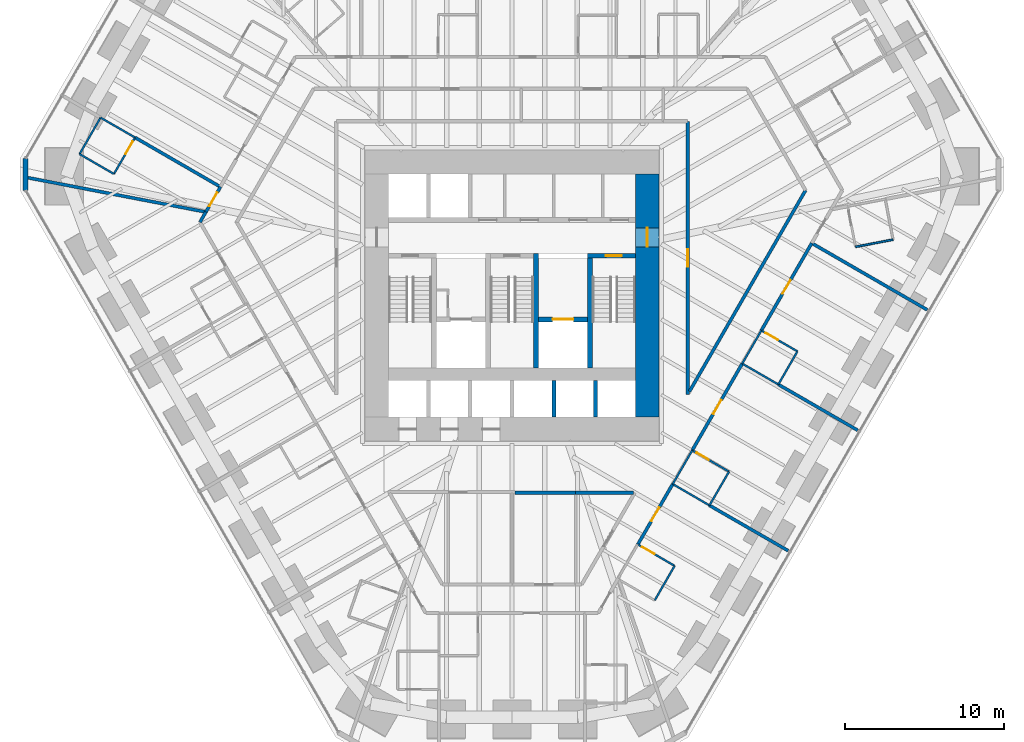
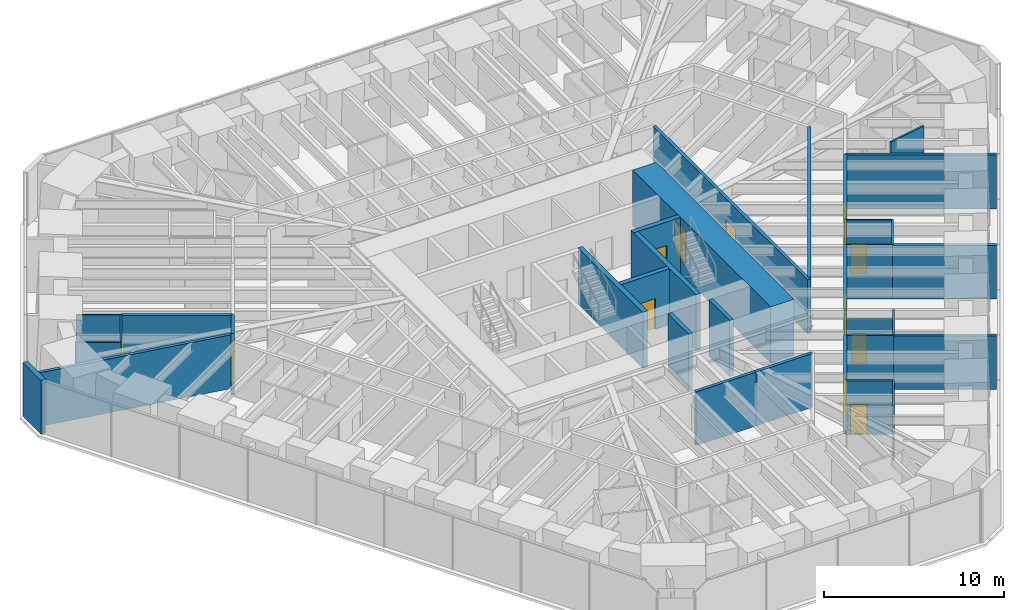
# One storey, part 13 of 17: 37 walls, 12 doors, 12 openings.
"""IFC4 building model written with IfcOpenShell, lengths in metres."""

import ifcopenshell
import ifcopenshell.guid

model = None  # the IFC model being written
_history = None  # IfcOwnerHistory: only IFC2X3 demands one
_inside = {}  # id of a spatial element -> (the spatial element, [elements in it])
_under = {}  # id of a project, library or spatial element -> (it, [spatial elements below it])
_declared = {}  # id of a project -> (the project, [libraries it declares])
_typed = {}  # id of a type object -> (the type object, [elements of that type])
_made_of = {}  # id of a material, layer set ... -> (it, [elements and type objects made of it])


def new_model(schema):
    """Start an empty IFC model of exactly this schema.

    Asked for "IFC4X3", IfcOpenShell would pick the latest addendum, in which some entities
    have other attributes; the version numbers below select the first issue.
    IFC2X3 requires an IfcOwnerHistory on every rooted entity: one is made here for all.
    """
    global model, _history
    if schema == "IFC4X3":
        model = ifcopenshell.file(schema_version=(4, 3, 0, 0))
    else:
        model = ifcopenshell.file(schema=schema)
    _inside.clear()
    _under.clear()
    _declared.clear()
    _typed.clear()
    _made_of.clear()
    _history = None
    if model.schema == "IFC2X3":
        org = make("IfcOrganization", Name="unknown")
        user = make(
            "IfcPersonAndOrganization",
            ThePerson=make("IfcPerson", FamilyName="unknown"),
            TheOrganization=org,
        )
        app = make(
            "IfcApplication",
            ApplicationDeveloper=org,
            Version="unknown",
            ApplicationFullName="unknown",
            ApplicationIdentifier="unknown",
        )
        _history = make(
            "IfcOwnerHistory",
            OwningUser=user,
            OwningApplication=app,
            ChangeAction="ADDED",
            CreationDate=0,
        )
    return model


def make(cls, **values):
    """One entity of the class cls with the attributes given. An attribute that is None is left unset."""
    return model.create_entity(
        cls, **{name: value for name, value in values.items() if value is not None}
    )


def rooted(cls, **values):
    """An entity with a GlobalId (a new one), such as an element, a storey or a relation."""
    return make(cls, GlobalId=ifcopenshell.guid.new(), OwnerHistory=_history, **values)


def si_unit(unit_type, name, prefix=None):
    """IfcSIUnit, for example si_unit("LENGTHUNIT", "METRE", prefix="MILLI")."""
    return make("IfcSIUnit", UnitType=unit_type, Prefix=prefix, Name=name)


def assignment(units):
    """IfcUnitAssignment: the units of a project."""
    return None if units is None else make("IfcUnitAssignment", Units=units)


def point(xyz):
    """IfcCartesianPoint."""
    return None if xyz is None else make("IfcCartesianPoint", Coordinates=xyz)


def direction(xyz):
    """IfcDirection."""
    return None if xyz is None else make("IfcDirection", DirectionRatios=xyz)


def frame(location, z_axis=None, x_axis=None):
    """IfcAxis2Placement3D, a coordinate frame: its origin and axes. An axis left out is left unset."""
    return make(
        "IfcAxis2Placement3D",
        Location=point(location),
        Axis=direction(z_axis),
        RefDirection=direction(x_axis),
    )


def frame_2d(location, x_axis=None):
    """IfcAxis2Placement2D, a coordinate frame in the plane: its origin and x axis."""
    return make(
        "IfcAxis2Placement2D", Location=point(location), RefDirection=direction(x_axis)
    )


def origin():
    """The frame at (0, 0, 0) with its axes left unset."""
    return frame((0.0, 0.0, 0.0))


def place(relative_to, where):
    """IfcLocalPlacement: puts the frame where relative to a parent placement (None: the world)."""
    return make(
        "IfcLocalPlacement", PlacementRelTo=relative_to, RelativePlacement=where
    )


def context(
    kind, dimensions, precision=None, world=None, true_north=None, identifier=None
):
    """IfcGeometricRepresentationContext, for example the 3D "Model" context."""
    return make(
        "IfcGeometricRepresentationContext",
        ContextIdentifier=identifier,
        ContextType=kind,
        CoordinateSpaceDimension=dimensions,
        Precision=precision,
        WorldCoordinateSystem=world,
        TrueNorth=true_north,
    )


def subcontext(parent, identifier, kind, view, scale=None):
    """IfcGeometricRepresentationSubContext, for example "Body" below "Model"."""
    return make(
        "IfcGeometricRepresentationSubContext",
        ContextIdentifier=identifier,
        ContextType=kind,
        ParentContext=parent,
        TargetScale=scale,
        TargetView=view,
    )


def project(units=None, contexts=None):
    """IfcProject with its units and contexts."""
    return rooted(
        "IfcProject",
        Name="project",
        RepresentationContexts=contexts,
        UnitsInContext=assignment(units),
    )


def spatial(cls, under=None, at=None, **own):
    """A site, building, storey or space (cls), placed at a placement, below another one or the project."""
    s = rooted(cls, ObjectPlacement=at, **own)
    if under is not None:
        _under.setdefault(under.id(), (under, []))[1].append(s)
    return s


def profile(cls, at=None, kind="AREA", **sizes):
    """A parametric profile (cls). Its sizes go by their IFC names, for example OverallWidth=200.0."""
    return make(cls, ProfileType=kind, Position=at, **sizes)


def rectangle(**sizes):
    """IfcRectangleProfileDef."""
    return profile("IfcRectangleProfileDef", **sizes)


def extrude(swept, where, along, depth):
    """IfcExtrudedAreaSolid: the profile swept, set in the frame where, extruded along a direction by depth."""
    return make(
        "IfcExtrudedAreaSolid",
        SweptArea=swept,
        Position=where,
        ExtrudedDirection=direction(along),
        Depth=depth,
    )


def shape(context_of_items, identifier, shape_type, items):
    """IfcShapeRepresentation: the items that make up one representation, for example the "Body"."""
    return make(
        "IfcShapeRepresentation",
        ContextOfItems=context_of_items,
        RepresentationIdentifier=identifier,
        RepresentationType=shape_type,
        Items=items,
    )


def material(Name=None, Category=None):
    """IfcMaterial."""
    return make("IfcMaterial", Name=Name, Category=Category)


def layer(
    of_material, thickness, ventilated=None, Name=None, Category=None, Priority=None
):
    """IfcMaterialLayer: one layer of a wall or slab, of a material (None: an air gap)."""
    return make(
        "IfcMaterialLayer",
        Material=of_material,
        LayerThickness=thickness,
        IsVentilated=ventilated,
        Name=Name,
        Category=Category,
        Priority=Priority,
    )


def layer_set(layers, Name=None):
    """IfcMaterialLayerSet."""
    return make("IfcMaterialLayerSet", MaterialLayers=layers, LayerSetName=Name)


def made_of(thing, what):
    """Note that an element or type object is made of a material, layer set ...; save() writes the relation."""
    if what is not None:
        _made_of.setdefault(what.id(), (what, []))[1].append(thing)
    return thing


def type_object(cls, material=None, **own):
    """A type object (cls), such as IfcWallType, which elements share."""
    return made_of(rooted(cls, **own), material)


def element(
    cls,
    number,
    at=None,
    inside=None,
    cuts=None,
    type_object=None,
    material=None,
    context=None,
    identifier="Body",
    shape_type=None,
    held_by="IfcProductDefinitionShape",
    body=None,
    shapes=None,
    **own,
):
    """One element of the class cls, such as IfcWall. Its Tag is "e" and its number.

    at: its placement. inside: the storey or other place that contains it. cuts: it is an
    opening in that element (IfcRelVoidsElement). A single representation is given by context,
    identifier, shape_type and body (its items); several are given by shapes. held_by: the class
    of the entity that holds the representations. save() writes the other relations.
    """
    e = rooted(cls, Tag="e%d" % number, ObjectPlacement=at, **own)
    if body is not None:
        shapes = [shape(context, identifier, shape_type, body)]
    if shapes is not None:
        e.Representation = make(held_by, Representations=shapes)
    if inside is not None:
        _inside.setdefault(inside.id(), (inside, []))[1].append(e)
    if cuts is not None:
        rooted(
            "IfcRelVoidsElement", RelatingBuildingElement=cuts, RelatedOpeningElement=e
        )
    if type_object is not None:
        _typed.setdefault(type_object.id(), (type_object, []))[1].append(e)
    return made_of(e, material)


def fill(opening, filler):
    """IfcRelFillsElement: the door or window that sits in an opening."""
    return rooted(
        "IfcRelFillsElement",
        RelatingOpeningElement=opening,
        RelatedBuildingElement=filler,
    )


def aggregate(whole, parts):
    """IfcRelAggregates: a whole, such as a stair, and the parts it consists of."""
    return rooted("IfcRelAggregates", RelatingObject=whole, RelatedObjects=parts)


def save(model, path):
    """Write the relations noted so far, then the file.

    IfcRelAggregates (storeys below a building ...), IfcRelContainedInSpatialStructure (elements
    in a storey), IfcRelDefinesByType, IfcRelAssociatesMaterial and IfcRelDeclares: one each for
    every whole, place, type object, material and project.
    """
    for whole, parts in _under.values():
        aggregate(whole, parts)
    for where, things in _inside.values():
        rooted(
            "IfcRelContainedInSpatialStructure",
            RelatedElements=things,
            RelatingStructure=where,
        )
    for kind, things in _typed.values():
        rooted("IfcRelDefinesByType", RelatedObjects=things, RelatingType=kind)
    for what, things in _made_of.values():
        rooted("IfcRelAssociatesMaterial", RelatedObjects=things, RelatingMaterial=what)
    for by, libraries in _declared.values():
        rooted("IfcRelDeclares", RelatingContext=by, RelatedDefinitions=libraries)
    model.write(path)


model = new_model("IFC4")

# Units and contexts
model_context = context("Model", 3, precision=1e-05, world=origin(), true_north=direction((0.0, 1.0)))
body_context = subcontext(model_context, "Body", "Model", "MODEL_VIEW")
ifc_project = project(units=[si_unit("LENGTHUNIT", "METRE"), si_unit("AREAUNIT", "SQUARE_METRE"), si_unit("VOLUMEUNIT", "CUBIC_METRE"), si_unit("PLANEANGLEUNIT", "RADIAN"), si_unit("MASSUNIT", "GRAM", prefix="KILO")], contexts=[model_context])

# Site, building, storey
site_placement = place(None, origin())
site = spatial("IfcSite", under=ifc_project, at=site_placement, CompositionType="ELEMENT")
building_placement = place(site_placement, origin())
building = spatial("IfcBuilding", under=site, at=building_placement, Name="Sandreach Pilgrim Tower", CompositionType="ELEMENT")
storey_placement = place(building_placement, frame((0.0, 0.0, 68.60009765625)))
storey = spatial("IfcBuildingStorey", under=building, at=storey_placement, Name="L16", CompositionType="ELEMENT", Elevation=68.60009765625)

# Walls
ifc_material_1 = material(Name="Moisture-resistant gypsum board on steel studs", Category="steel")
ifc_layer_1 = layer(ifc_material_1, 0.1201171875)
ifc_layer_set_1 = layer_set([ifc_layer_1], Name="Bathroom partition 120")
wall_type_1 = type_object("IfcWallType", Name="Bathroom partition 120", PredefinedType="PARTITIONING", material=ifc_layer_set_1)
wall_1_placement = place(storey_placement, frame((-27.179931640625, 7.340087890625, 0.0), z_axis=(0.0, 0.0, 1.0), x_axis=(0.865508881864, -0.500893576935, 0.0)))
element("IfcWall", 1, at=wall_1_placement, inside=storey, type_object=wall_type_1, Name="Bathroom partition L16-003", PredefinedType="PARTITIONING", context=body_context, shape_type="SweptSolid", body=[
    extrude(rectangle(XDim=2.49560546875, YDim=0.1201171875, at=frame_2d((1.247802734375, 0.0))), origin(), (0.0, 0.0, 1.0), 3.639892578125),
])
wall_2_placement = place(storey_placement, frame((-25.860107421875, 9.6298828125, 0.0), z_axis=(0.0, 0.0, 1.0), x_axis=(-0.499378545839, -0.866383903334, 0.0)))
element("IfcWall", 2, at=wall_2_placement, inside=storey, type_object=wall_type_1, Name="Bathroom partition L16-004", PredefinedType="PARTITIONING", context=body_context, shape_type="SweptSolid", body=[
    extrude(rectangle(XDim=2.642822265625, YDim=0.1201171875, at=frame_2d((1.3212890625, 0.0))), origin(), (0.0, 0.0, 1.0), 1.83984375),
])
wall_3_placement = place(storey_placement, frame((-25.860107421875, 9.6298828125, 0.0), z_axis=(0.0, 0.0, 1.0), x_axis=(0.86653430447, -0.499117520406, 0.0)))
element("IfcWall", 3, at=wall_3_placement, inside=storey, type_object=wall_type_1, Name="Bathroom partition L16-005", PredefinedType="PARTITIONING", context=body_context, shape_type="SweptSolid", body=[
    extrude(rectangle(XDim=2.50439453125, YDim=0.1201171875, at=frame_2d((1.252197265625, 0.0))), origin(), (0.0, 0.0, 1.0), 3.639892578125),
])

# Wall, opening, door
wall_4_placement = place(storey_placement, frame((-25.02001953125, 6.090087890625, 0.0), z_axis=(0.0, 0.0, 1.0), x_axis=(0.502282305835, 0.864703697948, 0.0)))
wall_4 = element("IfcWall", 4, at=wall_4_placement, inside=storey, type_object=wall_type_1, Name="Bathroom partition L16-006", PredefinedType="PARTITIONING", context=body_context, shape_type="SweptSolid", body=[
    extrude(rectangle(XDim=2.64794921875, YDim=0.1201171875, at=frame_2d((1.323974609375, 0.0))), origin(), (0.0, 0.0, 1.0), 3.639892578125),
])
opening_1_placement = place(wall_4_placement, frame((1.4482421875, 0.0, 0.0)))
opening_1 = element("IfcOpeningElement", 5, at=opening_1_placement, cuts=wall_4, Name="Opening D09-18B", PredefinedType="OPENING", context=body_context, shape_type="SweptSolid", body=[
    extrude(rectangle(XDim=0.89990234375, YDim=2.030029296875, at=frame_2d((0.449951171875, 1.01513671875))), frame((0.0, 0.06005859375, 0.0), z_axis=(0.0, -1.0, 0.0), x_axis=(1.0, 0.0, 0.0)), (0.0, 0.0, 1.0), 0.1201171875),
])
ifc_material_2 = material(Name="Timber door, steel frame", Category="steel")
door_type_1 = type_object("IfcDoorType", Name="Bathroom door", OperationType="SINGLE_SWING_LEFT", PredefinedType="DOOR", material=ifc_material_2)
door_1_placement = place(opening_1_placement, origin())
door_1 = element("IfcDoor", 6, at=door_1_placement, inside=storey, type_object=door_type_1, Name="Door 1618B", OperationType="SINGLE_SWING_RIGHT", OverallHeight=2.030029296875, OverallWidth=0.89990234375, PredefinedType="DOOR", context=body_context, shape_type="SweptSolid", body=[
    extrude(rectangle(XDim=0.89990234375, YDim=2.030029296875, at=frame_2d((0.449951171875, 1.01513671875))), frame((0.0, 0.02490234375, 0.0), z_axis=(0.0, -1.0, 0.0), x_axis=(1.0, 0.0, 0.0)), (0.0, 0.0, 1.0), 0.050048828125),
])
fill(opening_1, door_1)

# Walls
wall_5_placement = place(storey_placement, frame((8.969970703125, -20.7099609375, 0.0), z_axis=(0.0, 0.0, 1.0), x_axis=(0.499159685399, 0.866510016372, 0.0)))
element("IfcWall", 7, at=wall_5_placement, inside=storey, type_object=wall_type_1, Name="Bathroom partition L16-115", PredefinedType="PARTITIONING", context=body_context, shape_type="SweptSolid", body=[
    extrude(rectangle(XDim=2.504150390625, YDim=0.1201171875, at=frame_2d((1.251953125, 0.0))), origin(), (0.0, 0.0, 1.0), 3.639892578125),
])
wall_6_placement = place(storey_placement, frame((10.10009765625, -13.39990234375, 0.0), z_axis=(0.0, 0.0, 1.0), x_axis=(0.501856726365, 0.86495076519, 0.0)))
element("IfcWall", 8, at=wall_6_placement, inside=storey, type_object=wall_type_1, Name="Bathroom partition L16-121", PredefinedType="PARTITIONING", context=body_context, shape_type="SweptSolid", body=[
    extrude(rectangle(XDim=2.450927734375, YDim=0.1201171875, at=frame_2d((1.2255859375, 0.0))), origin(), (0.0, 0.0, 1.0), 3.639892578125),
])
wall_7_placement = place(storey_placement, frame((10.10009765625, -13.39990234375, 0.0), z_axis=(0.0, 0.0, 1.0), x_axis=(0.864966903181, -0.501828911485, 0.0)))
element("IfcWall", 9, at=wall_7_placement, inside=storey, type_object=wall_type_1, Name="Bathroom partition L16-122", PredefinedType="PARTITIONING", context=body_context, shape_type="SweptSolid", body=[
    extrude(rectangle(XDim=2.67041015625, YDim=0.1201171875, at=frame_2d((1.335205078125, 0.0))), origin(), (0.0, 0.0, 1.0), 3.639892578125),
])

# Wall, opening, door
wall_8_placement = place(storey_placement, frame((10.219970703125, -18.5400390625, 0.0), z_axis=(0.0, 0.0, 1.0), x_axis=(-0.86498992408, 0.501789229896, 0.0)))
wall_8 = element("IfcWall", 10, at=wall_8_placement, inside=storey, type_object=wall_type_1, Name="Bathroom partition L16-124", PredefinedType="PARTITIONING", context=body_context, shape_type="SweptSolid", body=[
    extrude(rectangle(XDim=2.670654296875, YDim=0.1201171875, at=frame_2d((1.33544921875, 0.0))), origin(), (0.0, 0.0, 1.0), 3.639892578125),
])
opening_2_placement = place(wall_8_placement, frame((1.470458984375, 0.0, 0.0)))
opening_2 = element("IfcOpeningElement", 11, at=opening_2_placement, cuts=wall_8, Name="Opening D09-10B", PredefinedType="OPENING", context=body_context, shape_type="SweptSolid", body=[
    extrude(rectangle(XDim=0.89990234375, YDim=2.030029296875, at=frame_2d((0.449951171875, 1.01513671875))), frame((0.0, 0.06005859375, 0.0), z_axis=(0.0, -1.0, 0.0), x_axis=(1.0, 0.0, 0.0)), (0.0, 0.0, 1.0), 0.1201171875),
])
door_2_placement = place(opening_2_placement, origin())
door_2 = element("IfcDoor", 12, at=door_2_placement, inside=storey, type_object=door_type_1, Name="Door 1610B", OperationType="SINGLE_SWING_RIGHT", OverallHeight=2.030029296875, OverallWidth=0.89990234375, PredefinedType="DOOR", context=body_context, shape_type="SweptSolid", body=[
    extrude(rectangle(XDim=0.89990234375, YDim=2.030029296875, at=frame_2d((0.449951171875, 1.01513671875))), frame((0.0, 0.02490234375, 0.0), z_axis=(0.0, -1.0, 0.0), x_axis=(1.0, 0.0, 0.0)), (0.0, 0.0, 1.0), 0.050048828125),
])
fill(opening_2, door_2)

# Wall
wall_9_placement = place(storey_placement, frame((12.409912109375, -14.739990234375, 0.0), z_axis=(0.0, 0.0, 1.0), x_axis=(0.501813488763, 0.864975850817, 0.0)))
element("IfcWall", 13, at=wall_9_placement, inside=storey, type_object=wall_type_1, Name="Bathroom partition L16-132", PredefinedType="PARTITIONING", context=body_context, shape_type="SweptSolid", body=[
    extrude(rectangle(XDim=2.451171875, YDim=0.1201171875, at=frame_2d((1.2255859375, 0.0))), origin(), (0.0, 0.0, 1.0), 3.639892578125),
])

# Wall, opening, door
wall_10_placement = place(storey_placement, frame((13.639892578125, -12.6201171875, 0.0), z_axis=(0.0, 0.0, 1.0), x_axis=(-0.864966903181, 0.501828911485, 0.0)))
wall_10 = element("IfcWall", 14, at=wall_10_placement, inside=storey, type_object=wall_type_1, Name="Bathroom partition L16-133", PredefinedType="PARTITIONING", context=body_context, shape_type="SweptSolid", body=[
    extrude(rectangle(XDim=2.67041015625, YDim=0.1201171875, at=frame_2d((1.335205078125, 0.0))), origin(), (0.0, 0.0, 1.0), 3.037841796875),
])
opening_3_placement = place(wall_10_placement, frame((1.470458984375, 0.0, 0.0)))
opening_3 = element("IfcOpeningElement", 15, at=opening_3_placement, cuts=wall_10, Name="Opening D09-09B", PredefinedType="OPENING", context=body_context, shape_type="SweptSolid", body=[
    extrude(rectangle(XDim=0.89990234375, YDim=2.030029296875, at=frame_2d((0.449951171875, 1.01513671875))), frame((0.0, 0.06005859375, 0.0), z_axis=(0.0, -1.0, 0.0), x_axis=(1.0, 0.0, 0.0)), (0.0, 0.0, 1.0), 0.1201171875),
])
door_3_placement = place(opening_3_placement, origin())
door_3 = element("IfcDoor", 16, at=door_3_placement, inside=storey, type_object=door_type_1, Name="Door 1609B", OperationType="SINGLE_SWING_RIGHT", OverallHeight=2.030029296875, OverallWidth=0.89990234375, PredefinedType="DOOR", context=body_context, shape_type="SweptSolid", body=[
    extrude(rectangle(XDim=0.89990234375, YDim=2.030029296875, at=frame_2d((0.449951171875, 1.01513671875))), frame((0.0, 0.02490234375, 0.0), z_axis=(0.0, -1.0, 0.0), x_axis=(1.0, 0.0, 0.0)), (0.0, 0.0, 1.0), 0.050048828125),
])
fill(opening_3, door_3)

# Walls
wall_11_placement = place(storey_placement, frame((14.469970703125, -5.830078125, 0.0), z_axis=(0.0, 0.0, 1.0), x_axis=(0.499693115345, 0.866202511239, 0.0)))
element("IfcWall", 17, at=wall_11_placement, inside=storey, type_object=wall_type_1, Name="Bathroom partition L16-134", PredefinedType="PARTITIONING", context=body_context, shape_type="SweptSolid", body=[
    extrude(rectangle(XDim=2.4013671875, YDim=0.1201171875, at=frame_2d((1.20068359375, 0.0))), origin(), (0.0, 0.0, 1.0), 3.639892578125),
])
wall_12_placement = place(storey_placement, frame((14.469970703125, -5.830078125, 0.0), z_axis=(0.0, 0.0, 1.0), x_axis=(0.866010296064, -0.500026166427, 0.0)))
element("IfcWall", 18, at=wall_12_placement, inside=storey, type_object=wall_type_1, Name="Bathroom partition L16-135", PredefinedType="PARTITIONING", context=body_context, shape_type="SweptSolid", body=[
    extrude(rectangle(XDim=2.620849609375, YDim=0.1201171875, at=frame_2d((1.310546875, 0.0))), origin(), (0.0, 0.0, 1.0), 3.639892578125),
])
wall_13_placement = place(storey_placement, frame((16.739990234375, -7.139892578125, 0.0), z_axis=(0.0, 0.0, 1.0), x_axis=(0.499737123639, 0.866177122335, 0.0)))
element("IfcWall", 19, at=wall_13_placement, inside=storey, type_object=wall_type_1, Name="Bathroom partition L16-141", PredefinedType="PARTITIONING", context=body_context, shape_type="SweptSolid", body=[
    extrude(rectangle(XDim=2.401123046875, YDim=0.1201171875, at=frame_2d((1.20068359375, 0.0))), origin(), (0.0, 0.0, 1.0), 3.639892578125),
])

# Wall, opening, door
wall_14_placement = place(storey_placement, frame((17.93994140625, -5.06005859375, 0.0), z_axis=(0.0, 0.0, 1.0), x_axis=(-0.866114241029, 0.499846097802, 0.0)))
wall_14 = element("IfcWall", 20, at=wall_14_placement, inside=storey, type_object=wall_type_1, Name="Bathroom partition L16-147", PredefinedType="PARTITIONING", context=body_context, shape_type="SweptSolid", body=[
    extrude(rectangle(XDim=2.620849609375, YDim=0.1201171875, at=frame_2d((1.310546875, 0.0))), origin(), (0.0, 0.0, 1.0), 3.639892578125),
])
opening_4_placement = place(wall_14_placement, frame((1.4208984375, 0.0, 0.0)))
opening_4 = element("IfcOpeningElement", 21, at=opening_4_placement, cuts=wall_14, Name="Opening D09-08B", PredefinedType="OPENING", context=body_context, shape_type="SweptSolid", body=[
    extrude(rectangle(XDim=0.89990234375, YDim=2.030029296875, at=frame_2d((0.449951171875, 1.01513671875))), frame((0.0, 0.06005859375, 0.0), z_axis=(0.0, -1.0, 0.0), x_axis=(1.0, 0.0, 0.0)), (0.0, 0.0, 1.0), 0.1201171875),
])
door_4_placement = place(opening_4_placement, origin())
door_4 = element("IfcDoor", 22, at=door_4_placement, inside=storey, type_object=door_type_1, Name="Door 1608B", OperationType="SINGLE_SWING_RIGHT", OverallHeight=2.030029296875, OverallWidth=0.89990234375, PredefinedType="DOOR", context=body_context, shape_type="SweptSolid", body=[
    extrude(rectangle(XDim=0.89990234375, YDim=2.030029296875, at=frame_2d((0.449951171875, 1.01513671875))), frame((0.0, 0.02490234375, 0.0), z_axis=(0.0, -1.0, 0.0), x_axis=(1.0, 0.0, 0.0)), (0.0, 0.0, 1.0), 0.050048828125),
])
fill(opening_4, door_4)

# Walls
wall_15_placement = place(storey_placement, frame((21.590087890625, 1.510009765625, 0.0), z_axis=(0.0, 0.0, 1.0), x_axis=(0.982303859288, 0.187294228499, 0.0)))
element("IfcWall", 23, at=wall_15_placement, inside=storey, type_object=wall_type_1, Name="Bathroom partition L16-159", PredefinedType="PARTITIONING", context=body_context, shape_type="SweptSolid", body=[
    extrude(rectangle(XDim=2.40234375, YDim=0.1201171875, at=frame_2d((1.201171875, 0.0))), origin(), (0.0, 0.0, 1.0), 3.639892578125),
])
ifc_material_3 = material(Name="Concrete 10000 psi", Category="concrete")
ifc_layer_2 = layer(ifc_material_3, 0.300048828125)
ifc_layer_set_2 = layer_set([ifc_layer_2], Name="Core inner wall 300")
wall_type_2 = type_object("IfcWallType", Name="Core inner wall 300", PredefinedType="SHEAR", material=ifc_layer_set_2)
for number, where, z_axis, x_axis, name in (
    (24, (1.5, -6.10009765625, 0.0), (0.0, 0.0, 1.0), (0.0, 1.0, 0.0), "Core wall I2 L16"),
    (25, (4.89990234375, -6.10009765625, 0.0), (0.0, 0.0, 1.0), (0.0, 1.0, 0.0), "Core wall I3 L16"),
):
    element("IfcWall", number, at=place(storey_placement, frame(where, z_axis=z_axis, x_axis=x_axis)), inside=storey, type_object=wall_type_2, Name=name, PredefinedType="SHEAR", context=body_context, shape_type="SweptSolid", body=[
        extrude(rectangle(XDim=7.2001953125, YDim=0.300048828125, at=frame_2d((3.60009765625, 0.0))), origin(), (0.0, 0.0, 1.0), 3.7998046875),
    ])

# Wall, opening, door
wall_16_placement = place(storey_placement, frame((4.75, 0.949951171875, 0.0), z_axis=(0.0, 0.0, 1.0), x_axis=(1.0, 0.0, 0.0)))
wall_16 = element("IfcWall", 26, at=wall_16_placement, inside=storey, type_object=wall_type_2, Name="Core wall SN2 L16", PredefinedType="SHEAR", context=body_context, shape_type="SweptSolid", body=[
    extrude(rectangle(XDim=3.0, YDim=0.300048828125, at=frame_2d((1.5, 0.0))), origin(), (0.0, 0.0, 1.0), 3.7998046875),
])
opening_5_placement = place(wall_16_placement, frame((1.14990234375, 0.0, 0.0)))
opening_5 = element("IfcOpeningElement", 27, at=opening_5_placement, cuts=wall_16, Name="Opening D10S-ST2", PredefinedType="OPENING", context=body_context, shape_type="SweptSolid", body=[
    extrude(rectangle(XDim=1.0, YDim=2.199951171875, at=frame_2d((0.5, 1.10009765625))), frame((0.0, 0.14990234375, 0.0), z_axis=(0.0, -1.0, 0.0), x_axis=(1.0, 0.0, 0.0)), (0.0, 0.0, 1.0), 0.300048828125),
])
ifc_material_4 = material(Name="Steel door and frame", Category="steel")
door_type_2 = type_object("IfcDoorType", Name="Stair door", OperationType="SINGLE_SWING_LEFT", PredefinedType="DOOR", material=ifc_material_4)
door_5_placement = place(opening_5_placement, origin())
door_5 = element("IfcDoor", 28, at=door_5_placement, inside=storey, type_object=door_type_2, Name="Stair door ST2 L16", OperationType="SINGLE_SWING_RIGHT", OverallHeight=2.199951171875, OverallWidth=1.0, PredefinedType="DOOR", context=body_context, shape_type="SweptSolid", body=[
    extrude(rectangle(XDim=1.0, YDim=2.199951171875, at=frame_2d((0.5, 1.10009765625))), frame((0.0, 0.02490234375, 0.0), z_axis=(0.0, -1.0, 0.0), x_axis=(1.0, 0.0, 0.0)), (0.0, 0.0, 1.0), 0.050048828125),
])
fill(opening_5, door_5)

wall_17_placement = place(storey_placement, frame((1.64990234375, -3.050048828125, 0.0), z_axis=(0.0, 0.0, 1.0), x_axis=(1.0, 0.0, 0.0)))
wall_17 = element("IfcWall", 29, at=wall_17_placement, inside=storey, type_object=wall_type_2, Name="Core wall FL2 L16", PredefinedType="SHEAR", context=body_context, shape_type="SweptSolid", body=[
    extrude(rectangle(XDim=3.10009765625, YDim=0.300048828125, at=frame_2d((1.550048828125, 0.0))), origin(), (0.0, 0.0, 1.0), 3.7998046875),
])
opening_6_placement = place(wall_17_placement, frame((0.89990234375, 0.0, 0.0)))
opening_6 = element("IfcOpeningElement", 30, at=opening_6_placement, cuts=wall_17, Name="Opening LD13", PredefinedType="OPENING", context=body_context, shape_type="SweptSolid", body=[
    extrude(rectangle(XDim=1.300048828125, YDim=2.10009765625, at=frame_2d((0.64990234375, 1.050048828125))), frame((0.0, 0.14990234375, 0.0), z_axis=(0.0, -1.0, 0.0), x_axis=(1.0, 0.0, 0.0)), (0.0, 0.0, 1.0), 0.300048828125),
])
ifc_material_5 = material(Name="Steel door and frame", Category="steel")
door_type_3 = type_object("IfcDoorType", Name="Fire service lift landing door", OperationType="DOUBLE_DOOR_SLIDING", PredefinedType="DOOR", material=ifc_material_5)
door_6_placement = place(opening_6_placement, origin())
door_6 = element("IfcDoor", 31, at=door_6_placement, inside=storey, type_object=door_type_3, Name="Lift landing door FS2 L16", OperationType="DOUBLE_DOOR_SLIDING", OverallHeight=2.10009765625, OverallWidth=1.300048828125, PredefinedType="DOOR", context=body_context, shape_type="SweptSolid", body=[
    extrude(rectangle(XDim=1.300048828125, YDim=2.10009765625, at=frame_2d((0.64990234375, 1.050048828125))), frame((0.0, 0.02490234375, 0.0), z_axis=(0.0, -1.0, 0.0), x_axis=(1.0, 0.0, 0.0)), (0.0, 0.0, 1.0), 0.050048828125),
])
fill(opening_6, door_6)

ifc_material_6 = material(Name="Concrete 10000 psi", Category="concrete")
ifc_layer_3 = layer(ifc_material_6, 1.5)
ifc_layer_set_3 = layer_set([ifc_layer_3], Name="Core wall 1500")
wall_type_3 = type_object("IfcWallType", Name="Core wall 1500", PredefinedType="SHEAR", material=ifc_layer_set_3)
wall_18_placement = place(storey_placement, frame((8.5, -9.199951171875, 0.0), z_axis=(0.0, 0.0, 1.0), x_axis=(0.0, 1.0, 0.0)))
wall_18 = element("IfcWall", 32, at=wall_18_placement, inside=storey, type_object=wall_type_3, Name="Core wall E L16", PredefinedType="SHEAR", context=body_context, shape_type="SweptSolid", body=[
    extrude(rectangle(XDim=15.300048828125, YDim=1.5, at=frame_2d((7.64990234375, 0.0))), origin(), (0.0, 0.0, 1.0), 3.7998046875),
])
opening_7_placement = place(wall_18_placement, frame((10.699951171875, 0.0, 0.0)))
opening_7 = element("IfcOpeningElement", 33, at=opening_7_placement, cuts=wall_18, Name="Opening D12F-E", PredefinedType="OPENING", context=body_context, shape_type="SweptSolid", body=[
    extrude(rectangle(XDim=1.199951171875, YDim=2.199951171875, at=frame_2d((0.60009765625, 1.10009765625))), frame((0.0, 0.75, 0.0), z_axis=(0.0, -1.0, 0.0), x_axis=(1.0, 0.0, 0.0)), (0.0, 0.0, 1.0), 1.5),
])
ifc_material_7 = material(Name="Steel door and frame", Category="steel")
door_type_4 = type_object("IfcDoorType", Name="Fire lobby door", OperationType="SINGLE_SWING_LEFT", PredefinedType="DOOR", material=ifc_material_7)
door_7_placement = place(opening_7_placement, origin())
door_7 = element("IfcDoor", 34, at=door_7_placement, inside=storey, type_object=door_type_4, Name="Fire service lobby door E L16", OperationType="SINGLE_SWING_RIGHT", OverallHeight=2.199951171875, OverallWidth=1.199951171875, PredefinedType="DOOR", context=body_context, shape_type="SweptSolid", body=[
    extrude(rectangle(XDim=1.199951171875, YDim=2.199951171875, at=frame_2d((0.60009765625, 1.10009765625))), frame((0.0, 0.02490234375, 0.0), z_axis=(0.0, -1.0, 0.0), x_axis=(1.0, 0.0, 0.0)), (0.0, 0.0, 1.0), 0.050048828125),
])
fill(opening_7, door_7)

# Wall
ifc_material_8 = material(Name="Gypsum board on steel studs, two layers each side", Category="steel")
ifc_layer_4 = layer(ifc_material_8, 0.199951171875)
ifc_layer_set_4 = layer_set([ifc_layer_4], Name="Corridor wall 200")
wall_type_4 = type_object("IfcWallType", Name="Corridor wall 200", PredefinedType="PARTITIONING", material=ifc_layer_set_4)
wall_19_placement = place(storey_placement, frame((-19.610107421875, 3.06005859375, 0.0), z_axis=(0.0, 0.0, 1.0), x_axis=(0.50068472101, 0.865629718844, 0.0)))
element("IfcWall", 35, at=wall_19_placement, inside=storey, type_object=wall_type_4, Name="Corridor wall L16-012", PredefinedType="PARTITIONING", context=body_context, shape_type="SweptSolid", body=[
    extrude(rectangle(XDim=0.7392578125, YDim=0.199951171875, at=frame_2d((0.36962890625, 0.0))), origin(), (0.0, 0.0, 1.0), 3.639892578125),
])

# Wall, opening, door
wall_20_placement = place(storey_placement, frame((-18.320068359375, 5.280029296875, 0.0), z_axis=(0.0, 0.0, 1.0), x_axis=(-0.503140236709, -0.864204780249, 0.0)))
wall_20 = element("IfcWall", 36, at=wall_20_placement, inside=storey, type_object=wall_type_4, Name="Corridor wall L16-018", PredefinedType="PARTITIONING", context=body_context, shape_type="SweptSolid", body=[
    extrude(rectangle(XDim=1.828369140625, YDim=0.199951171875, at=frame_2d((0.9140625, 0.0))), origin(), (0.0, 0.0, 1.0), 3.639892578125),
])
opening_8_placement = place(wall_20_placement, frame((0.4140625, 0.0, 0.0)))
opening_8 = element("IfcOpeningElement", 37, at=opening_8_placement, cuts=wall_20, Name="Opening D10-18", PredefinedType="OPENING", context=body_context, shape_type="SweptSolid", body=[
    extrude(rectangle(XDim=1.0, YDim=2.1298828125, at=frame_2d((0.5, 1.06494140625))), frame((0.0, 0.10009765625, 0.0), z_axis=(0.0, -1.0, 0.0), x_axis=(1.0, 0.0, 0.0)), (0.0, 0.0, 1.0), 0.199951171875),
])
ifc_material_9 = material(Name="Steel door and frame", Category="steel")
door_type_5 = type_object("IfcDoorType", Name="Guest room entry door", OperationType="SINGLE_SWING_LEFT", PredefinedType="DOOR", material=ifc_material_9)
door_8_placement = place(opening_8_placement, origin())
door_8 = element("IfcDoor", 38, at=door_8_placement, inside=storey, type_object=door_type_5, Name="Door 1618", OperationType="SINGLE_SWING_LEFT", OverallHeight=2.1298828125, OverallWidth=1.0, PredefinedType="DOOR", context=body_context, shape_type="SweptSolid", body=[
    extrude(rectangle(XDim=1.0, YDim=2.1298828125, at=frame_2d((0.5, 1.06494140625))), frame((0.0, 0.02490234375, 0.0), z_axis=(0.0, -1.0, 0.0), x_axis=(1.0, 0.0, 0.0)), (0.0, 0.0, 1.0), 0.050048828125),
])
fill(opening_8, door_8)

# Walls
wall_21_placement = place(storey_placement, frame((0.179931640625, -13.949951171875, 0.0), z_axis=(0.0, 0.0, 1.0), x_axis=(1.0, 0.0, 0.0)))
element("IfcWall", 39, at=wall_21_placement, inside=storey, type_object=wall_type_4, Name="Corridor wall L16-087", PredefinedType="PARTITIONING", context=body_context, shape_type="SweptSolid", body=[
    extrude(rectangle(XDim=3.820068359375, YDim=0.199951171875, at=frame_2d((1.91015625, 0.0))), origin(), (0.0, 0.0, 1.0), 3.639892578125),
])
wall_22_placement = place(storey_placement, frame((4.0, -13.949951171875, 0.0), z_axis=(0.0, 0.0, 1.0), x_axis=(1.0, 0.0, 0.0)))
element("IfcWall", 40, at=wall_22_placement, inside=storey, type_object=wall_type_4, Name="Corridor wall L16-094", PredefinedType="PARTITIONING", context=body_context, shape_type="SweptSolid", body=[
    extrude(rectangle(XDim=3.635009765625, YDim=0.199951171875, at=frame_2d((1.8173828125, 0.0))), origin(), (0.0, 0.0, 1.0), 3.639892578125),
])

# Wall, opening, door
wall_23_placement = place(storey_placement, frame((7.908203125, -17.198974609375, 0.0), z_axis=(0.0, 0.0, 1.0), x_axis=(0.49974333473, 0.866173538844, 0.0)))
wall_23 = element("IfcWall", 41, at=wall_23_placement, inside=storey, type_object=wall_type_4, Name="Corridor wall L16-114", PredefinedType="PARTITIONING", context=body_context, shape_type="SweptSolid", body=[
    extrude(rectangle(XDim=4.385986328125, YDim=0.199951171875, at=frame_2d((2.19287109375, 0.0))), origin(), (0.0, 0.0, 1.0), 3.639892578125),
])
opening_9_placement = place(wall_23_placement, frame((1.69287109375, 0.0, 0.0)))
opening_9 = element("IfcOpeningElement", 42, at=opening_9_placement, cuts=wall_23, Name="Opening D10-10", PredefinedType="OPENING", context=body_context, shape_type="SweptSolid", body=[
    extrude(rectangle(XDim=1.0, YDim=2.1298828125, at=frame_2d((0.5, 1.06494140625))), frame((0.0, 0.10009765625, 0.0), z_axis=(0.0, -1.0, 0.0), x_axis=(1.0, 0.0, 0.0)), (0.0, 0.0, 1.0), 0.199951171875),
])
door_9_placement = place(opening_9_placement, origin())
door_9 = element("IfcDoor", 43, at=door_9_placement, inside=storey, type_object=door_type_5, Name="Door 1610", OperationType="SINGLE_SWING_LEFT", OverallHeight=2.1298828125, OverallWidth=1.0, PredefinedType="DOOR", context=body_context, shape_type="SweptSolid", body=[
    extrude(rectangle(XDim=1.0, YDim=2.1298828125, at=frame_2d((0.5, 1.06494140625))), frame((0.0, 0.02490234375, 0.0), z_axis=(0.0, -1.0, 0.0), x_axis=(1.0, 0.0, 0.0)), (0.0, 0.0, 1.0), 0.050048828125),
])
fill(opening_9, door_9)

wall_24_placement = place(storey_placement, frame((11.050048828125, -7.760009765625, 0.0), z_axis=(0.0, 0.0, 1.0), x_axis=(0.0, 1.0, 0.0)))
wall_24 = element("IfcWall", 44, at=wall_24_placement, inside=storey, type_object=wall_type_4, Name="Corridor wall L16-126", PredefinedType="PARTITIONING", context=body_context, shape_type="SweptSolid", body=[
    extrude(rectangle(XDim=17.159912109375, YDim=0.199951171875, at=frame_2d((8.580078125, 0.0))), origin(), (0.0, 0.0, 1.0), 3.639892578125),
])
opening_10_placement = place(wall_24_placement, frame((8.030029296875, 0.0, 0.0)))
opening_10 = element("IfcOpeningElement", 45, at=opening_10_placement, cuts=wall_24, Name="Opening D11H-M04", PredefinedType="OPENING", context=body_context, shape_type="SweptSolid", body=[
    extrude(rectangle(XDim=1.10009765625, YDim=2.199951171875, at=frame_2d((0.550048828125, 1.10009765625))), frame((0.0, 0.10009765625, 0.0), z_axis=(0.0, -1.0, 0.0), x_axis=(1.0, 0.0, 0.0)), (0.0, 0.0, 1.0), 0.199951171875),
])
ifc_material_10 = material(Name="Steel door and frame", Category="steel")
door_type_6 = type_object("IfcDoorType", Name="Back of house door", OperationType="SINGLE_SWING_LEFT", PredefinedType="DOOR", material=ifc_material_10)
door_10_placement = place(opening_10_placement, origin())
door_10 = element("IfcDoor", 46, at=door_10_placement, inside=storey, type_object=door_type_6, Name="Door 16M04", OperationType="SINGLE_SWING_LEFT", OverallHeight=2.199951171875, OverallWidth=1.10009765625, PredefinedType="DOOR", context=body_context, shape_type="SweptSolid", body=[
    extrude(rectangle(XDim=1.10009765625, YDim=2.199951171875, at=frame_2d((0.550048828125, 1.10009765625))), frame((0.0, 0.02490234375, 0.0), z_axis=(0.0, -1.0, 0.0), x_axis=(1.0, 0.0, 0.0)), (0.0, 0.0, 1.0), 0.050048828125),
])
fill(opening_10, door_10)

wall_25_placement = place(storey_placement, frame((11.327880859375, -11.27880859375, 0.0), z_axis=(0.0, 0.0, 1.0), x_axis=(0.499554430625, 0.866282500598, 0.0)))
wall_25 = element("IfcWall", 47, at=wall_25_placement, inside=storey, type_object=wall_type_4, Name="Corridor wall L16-127", PredefinedType="PARTITIONING", context=body_context, shape_type="SweptSolid", body=[
    extrude(rectangle(XDim=6.289794921875, YDim=0.199951171875, at=frame_2d((3.14501953125, 0.0))), origin(), (0.0, 0.0, 1.0), 3.639892578125),
])
opening_11_placement = place(wall_25_placement, frame((2.64501953125, 0.0, 0.0)))
opening_11 = element("IfcOpeningElement", 48, at=opening_11_placement, cuts=wall_25, Name="Opening D10-09", PredefinedType="OPENING", context=body_context, shape_type="SweptSolid", body=[
    extrude(rectangle(XDim=1.0, YDim=2.1298828125, at=frame_2d((0.5, 1.06494140625))), frame((0.0, 0.10009765625, 0.0), z_axis=(0.0, -1.0, 0.0), x_axis=(1.0, 0.0, 0.0)), (0.0, 0.0, 1.0), 0.199951171875),
])
door_11_placement = place(opening_11_placement, origin())
door_11 = element("IfcDoor", 49, at=door_11_placement, inside=storey, type_object=door_type_5, Name="Door 1609", OperationType="SINGLE_SWING_LEFT", OverallHeight=2.1298828125, OverallWidth=1.0, PredefinedType="DOOR", context=body_context, shape_type="SweptSolid", body=[
    extrude(rectangle(XDim=1.0, YDim=2.1298828125, at=frame_2d((0.5, 1.06494140625))), frame((0.0, 0.02490234375, 0.0), z_axis=(0.0, -1.0, 0.0), x_axis=(1.0, 0.0, 0.0)), (0.0, 0.0, 1.0), 0.050048828125),
])
fill(opening_11, door_11)

wall_26_placement = place(storey_placement, frame((15.669921875, -3.75, 0.0), z_axis=(0.0, 0.0, 1.0), x_axis=(0.500061360627, 0.865989974311, 0.0)))
wall_26 = element("IfcWall", 50, at=wall_26_placement, inside=storey, type_object=wall_type_4, Name="Corridor wall L16-137", PredefinedType="PARTITIONING", context=body_context, shape_type="SweptSolid", body=[
    extrude(rectangle(XDim=6.339599609375, YDim=0.199951171875, at=frame_2d((3.169921875, 0.0))), origin(), (0.0, 0.0, 1.0), 3.639892578125),
])
opening_12_placement = place(wall_26_placement, frame((2.669921875, 0.0, 0.0)))
opening_12 = element("IfcOpeningElement", 51, at=opening_12_placement, cuts=wall_26, Name="Opening D10-08", PredefinedType="OPENING", context=body_context, shape_type="SweptSolid", body=[
    extrude(rectangle(XDim=1.0, YDim=2.1298828125, at=frame_2d((0.5, 1.06494140625))), frame((0.0, 0.10009765625, 0.0), z_axis=(0.0, -1.0, 0.0), x_axis=(1.0, 0.0, 0.0)), (0.0, 0.0, 1.0), 0.199951171875),
])
door_12_placement = place(opening_12_placement, origin())
door_12 = element("IfcDoor", 52, at=door_12_placement, inside=storey, type_object=door_type_5, Name="Door 1608", OperationType="SINGLE_SWING_LEFT", OverallHeight=2.1298828125, OverallWidth=1.0, PredefinedType="DOOR", context=body_context, shape_type="SweptSolid", body=[
    extrude(rectangle(XDim=1.0, YDim=2.1298828125, at=frame_2d((0.5, 1.06494140625))), frame((0.0, 0.02490234375, 0.0), z_axis=(0.0, -1.0, 0.0), x_axis=(1.0, 0.0, 0.0)), (0.0, 0.0, 1.0), 0.050048828125),
])
fill(opening_12, door_12)

# Walls
wall_27_placement = place(storey_placement, frame((18.449951171875, 5.06005859375, 0.0), z_axis=(0.0, 0.0, 1.0), x_axis=(-0.499910730718, -0.866076937294, 0.0)))
element("IfcWall", 53, at=wall_27_placement, inside=storey, type_object=wall_type_4, Name="Corridor wall L16-148", PredefinedType="PARTITIONING", context=body_context, shape_type="SweptSolid", body=[
    extrude(rectangle(XDim=14.592529296875, YDim=0.199951171875, at=frame_2d((7.29638671875, 0.0))), origin(), (0.0, 0.0, 1.0), 3.639892578125),
])
ifc_material_11 = material(Name="Double steel stud acoustic wall, gypsum board", Category="steel")
ifc_layer_5 = layer(ifc_material_11, 0.199951171875)
ifc_layer_set_5 = layer_set([ifc_layer_5], Name="Party wall 200")
wall_type_5 = type_object("IfcWallType", Name="Party wall 200", PredefinedType="PARTITIONING", material=ifc_layer_set_5)
wall_28_placement = place(storey_placement, frame((-30.590576171875, 5.88427734375, 0.0), z_axis=(0.0, 0.0, 1.0), x_axis=(0.981983289605, -0.188967772219, 0.0)))
element("IfcWall", 54, at=wall_28_placement, inside=storey, type_object=wall_type_5, Name="Party wall L16-001", PredefinedType="PARTITIONING", context=body_context, shape_type="SweptSolid", body=[
    extrude(rectangle(XDim=11.5087890625, YDim=0.199951171875, at=frame_2d((5.75439453125, 0.0))), origin(), (0.0, 0.0, 1.0), 3.639892578125),
])
wall_29_placement = place(storey_placement, frame((-23.68994140625, 8.3798828125, 0.0), z_axis=(0.0, 0.0, 1.0), x_axis=(0.865658018331, -0.500635791068, 0.0)))
element("IfcWall", 55, at=wall_29_placement, inside=storey, type_object=wall_type_5, Name="Party wall L16-009", PredefinedType="PARTITIONING", context=body_context, shape_type="SweptSolid", body=[
    extrude(rectangle(XDim=6.1767578125, YDim=0.199951171875, at=frame_2d((3.08837890625, 0.0))), origin(), (0.0, 0.0, 1.0), 3.639892578125),
])
wall_30_placement = place(storey_placement, frame((16.73974609375, -7.140625, 0.0), z_axis=(0.0, 0.0, 1.0), x_axis=(0.865985044037, -0.500069898618, 0.0)))
element("IfcWall", 56, at=wall_30_placement, inside=storey, type_object=wall_type_5, Name="Party wall L16-140", PredefinedType="PARTITIONING", context=body_context, shape_type="SweptSolid", body=[
    extrude(rectangle(XDim=5.758056640625, YDim=0.199951171875, at=frame_2d((2.87890625, 0.0))), origin(), (0.0, 0.0, 1.0), 3.639892578125),
])
wall_31_placement = place(storey_placement, frame((17.35595703125, -17.590087890625, 0.0), z_axis=(0.0, 0.0, 1.0), x_axis=(-0.866442508333, 0.499276856818, 0.0)))
element("IfcWall", 57, at=wall_31_placement, inside=storey, type_object=wall_type_5, Name="Party wall L16-142", PredefinedType="PARTITIONING", context=body_context, shape_type="SweptSolid", body=[
    extrude(rectangle(XDim=5.70849609375, YDim=0.199951171875, at=frame_2d((2.854248046875, 0.0))), origin(), (0.0, 0.0, 1.0), 3.639892578125),
])
wall_32_placement = place(storey_placement, frame((26.09619140625, -2.449951171875, 0.0), z_axis=(0.0, 0.0, 1.0), x_axis=(-0.865997946826, 0.500047553832, 0.0)))
element("IfcWall", 58, at=wall_32_placement, inside=storey, type_object=wall_type_5, Name="Party wall L16-165", PredefinedType="PARTITIONING", context=body_context, shape_type="SweptSolid", body=[
    extrude(rectangle(XDim=8.364013671875, YDim=0.199951171875, at=frame_2d((4.18212890625, 0.0))), origin(), (0.0, 0.0, 1.0), 3.639892578125),
])
ifc_material_12 = material(Name="Gypsum shaft wall on steel studs, two layers of shaft liner board", Category="steel")
ifc_layer_6 = layer(ifc_material_12, 0.25)
ifc_layer_set_6 = layer_set([ifc_layer_6], Name="Shaft partition 250")
wall_type_6 = type_object("IfcWallType", Name="Shaft partition 250", PredefinedType="PARTITIONING", material=ifc_layer_set_6)
for number, where, z_axis, x_axis, name in (
    (59, (2.625, -9.199951171875, 0.0), (0.0, 0.0, 1.0), (0.0, 1.0, 0.0), "Shaft partition XS3 L16"),
    (60, (5.25, -9.199951171875, 0.0), (0.0, 0.0, 1.0), (0.0, 1.0, 0.0), "Shaft partition XS4 L16"),
):
    element("IfcWall", number, at=place(storey_placement, frame(where, z_axis=z_axis, x_axis=x_axis)), inside=storey, type_object=wall_type_6, Name=name, PredefinedType="PARTITIONING", context=body_context, shape_type="SweptSolid", body=[
        extrude(rectangle(XDim=2.300048828125, YDim=0.25, at=frame_2d((1.14990234375, 0.0))), origin(), (0.0, 0.0, 1.0), 3.7998046875),
    ])
ifc_material_13 = material(Name="Terracotta rainscreen on concrete", Category="masonry")
ifc_layer_7 = layer(ifc_material_13, 0.300048828125)
ifc_layer_set_7 = layer_set([ifc_layer_7], Name="Terracotta chamfer pier")
wall_type_7 = type_object("IfcWallType", Name="Terracotta chamfer pier", PredefinedType="SOLIDWALL", material=ifc_layer_set_7)
wall_33_placement = place(storey_placement, frame((-30.576171875, 5.062255859375, 0.0), z_axis=(0.0, 0.0, 1.0), x_axis=(0.0, 1.0, 0.0)))
element("IfcWall", 61, at=wall_33_placement, inside=storey, type_object=wall_type_7, Name="Chamfer pier L16 SW", PredefinedType="SOLIDWALL", context=body_context, shape_type="SweptSolid", body=[
    extrude(rectangle(XDim=2.0, YDim=0.300048828125, at=frame_2d((1.0, 0.0))), origin(), (0.0, 0.0, 1.0), 3.639892578125),
])

save(model, "model.ifc")
